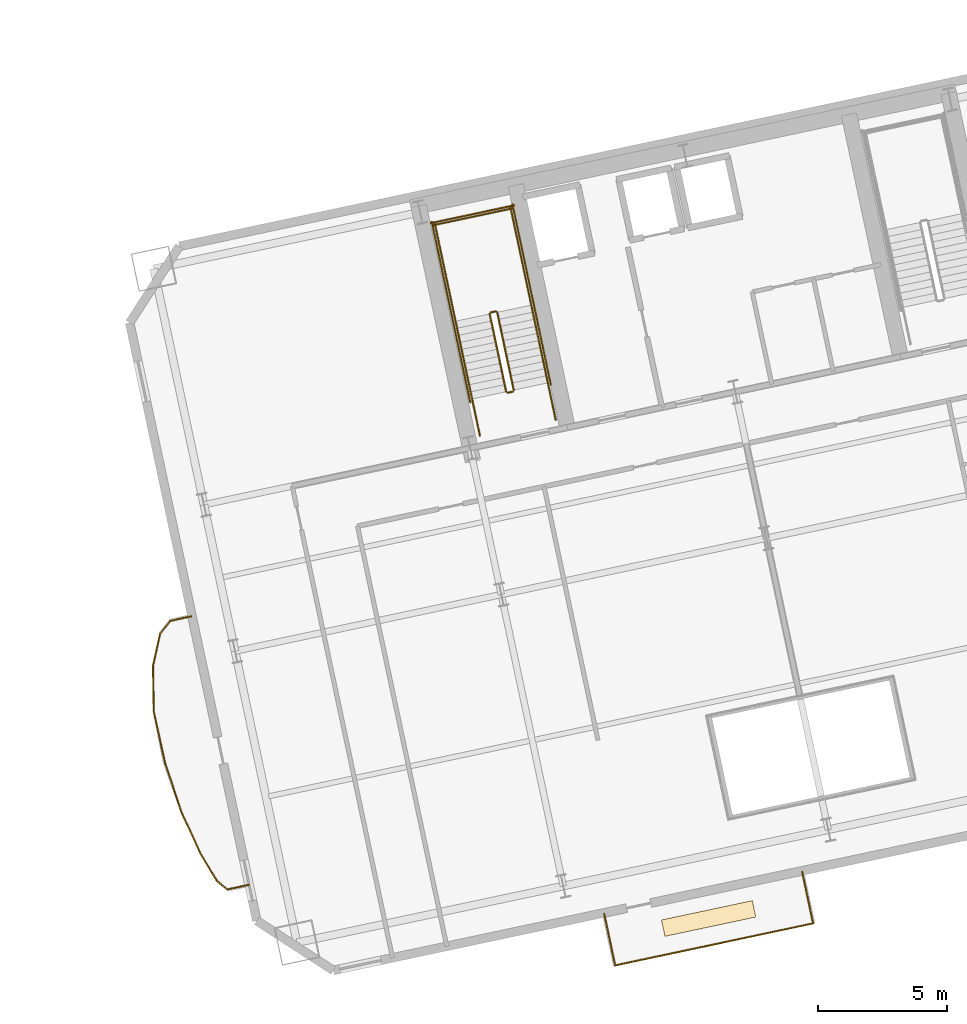
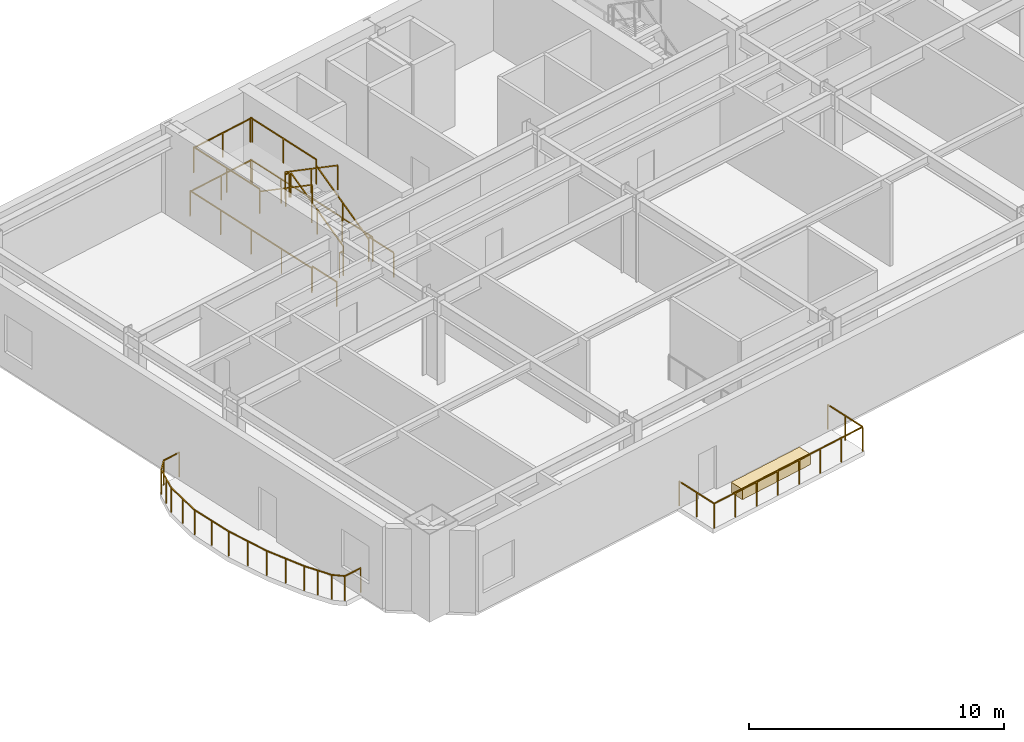
# One storey, part 14 of 15: 27 railings, 1 covering.
"""IFC4 building model written with IfcOpenShell, lengths in metres."""

from ifc_helpers import new_model, si_unit, direction, frame, origin, origin_2d, place, context, subcontext, project, spatial, rectangle, extrude, material, layer, layer_set, type_object, element, save


model = new_model("IFC4")

# Units and contexts
model_context = context("Model", 3, precision=1e-05, world=origin(), true_north=direction((0.0, 1.0)))
body_context = subcontext(model_context, "Body", "Model", "MODEL_VIEW")
ifc_project = project(units=[si_unit("LENGTHUNIT", "METRE"), si_unit("AREAUNIT", "SQUARE_METRE"), si_unit("VOLUMEUNIT", "CUBIC_METRE"), si_unit("PLANEANGLEUNIT", "RADIAN"), si_unit("MASSUNIT", "GRAM", prefix="KILO")], contexts=[model_context])

# Site, building, storey
site_placement = place(None, origin())
site = spatial("IfcSite", under=ifc_project, at=site_placement, CompositionType="ELEMENT")
building_placement = place(site_placement, origin())
building = spatial("IfcBuilding", under=site, at=building_placement, Name="Haevon Station Towers", CompositionType="ELEMENT")
storey_placement = place(building_placement, frame((0.0, 0.0, 73.5)))
storey = spatial("IfcBuildingStorey", under=building, at=storey_placement, Name="L19", CompositionType="ELEMENT", Elevation=73.5)

# Railings
ifc_material_1 = material(Name="Steel S355", Category="steel")
railing_type_1 = type_object("IfcRailingType", Name="GRD-EXT1200", PredefinedType="GUARDRAIL", material=ifc_material_1)
railing_1_placement = place(storey_placement, frame((87.947509765625, 30.92578125, 0.0)))
element("IfcRailing", 1, at=railing_1_placement, inside=storey, type_object=railing_type_1, Name="L19 Perimeter Guardrail 1", PredefinedType="GUARDRAIL", context=body_context, shape_type="SweptSolid", body=[
    extrude(rectangle(XDim=0.048095703125, YDim=0.048095703125, at=origin_2d()), frame((0.0, 0.0, 1.17578125), z_axis=(-0.977691431104, -0.210046341426, 0.0), x_axis=(0.210046341426, -0.977691431104, 0.0)), (0.0, 0.0, 1.0), 0.838134765625),
    extrude(rectangle(XDim=0.0419921875, YDim=0.0419921875, at=origin_2d()), origin(), (0.0, 0.0, 1.0), 1.15185546875),
    extrude(rectangle(XDim=0.0419921875, YDim=0.0419921875, at=origin_2d()), frame((-0.8193359375, -0.176025390625, 0.0)), (0.0, 0.0, 1.0), 1.15185546875),
])
railing_2_placement = place(storey_placement, frame((87.128173828125, 30.749755859375, 0.0)))
element("IfcRailing", 2, at=railing_2_placement, inside=storey, type_object=railing_type_1, Name="L19 Perimeter Guardrail 2", PredefinedType="GUARDRAIL", context=body_context, shape_type="SweptSolid", body=[
    extrude(rectangle(XDim=0.048095703125, YDim=0.048095703125, at=origin_2d()), frame((0.0, 0.0, 1.17578125), z_axis=(-0.615866023328, -0.787850900431, 0.0), x_axis=(0.787850900431, -0.615866023328, 0.0)), (0.0, 0.0, 1.0), 0.64013671875),
    extrude(rectangle(XDim=0.0419921875, YDim=0.0419921875, at=origin_2d()), origin(), (0.0, 0.0, 1.0), 1.15185546875),
    extrude(rectangle(XDim=0.0419921875, YDim=0.0419921875, at=origin_2d()), frame((-0.394287109375, -0.50439453125, 0.0)), (0.0, 0.0, 1.0), 1.15185546875),
])
railing_3_placement = place(storey_placement, frame((86.73388671875, 30.245361328125, 0.0)))
element("IfcRailing", 3, at=railing_3_placement, inside=storey, type_object=railing_type_1, Name="L19 Perimeter Guardrail 3", PredefinedType="GUARDRAIL", context=body_context, shape_type="SweptSolid", body=[
    extrude(rectangle(XDim=0.048095703125, YDim=0.048095703125, at=origin_2d()), frame((0.0, 0.0, 1.17578125), z_axis=(-0.216166111274, -0.97635660101, 0.0), x_axis=(0.97635660101, -0.216166111274, 0.0)), (0.0, 0.0, 1.0), 1.28515625),
    extrude(rectangle(XDim=0.0419921875, YDim=0.0419921875, at=origin_2d()), origin(), (0.0, 0.0, 1.0), 1.15185546875),
    extrude(rectangle(XDim=0.0419921875, YDim=0.0419921875, at=origin_2d()), frame((-0.138916015625, -0.62744140625, 0.0)), (0.0, 0.0, 1.0), 1.15185546875),
    extrude(rectangle(XDim=0.0419921875, YDim=0.0419921875, at=origin_2d()), frame((-0.27783203125, -1.2548828125, 0.0)), (0.0, 0.0, 1.0), 1.15185546875),
])
railing_4_placement = place(storey_placement, frame((86.4560546875, 28.990478515625, 0.0)))
element("IfcRailing", 4, at=railing_4_placement, inside=storey, type_object=railing_type_1, Name="L19 Perimeter Guardrail 4", PredefinedType="GUARDRAIL", context=body_context, shape_type="SweptSolid", body=[
    extrude(rectangle(XDim=0.048095703125, YDim=0.048095703125, at=origin_2d()), frame((0.0, 0.0, 1.17578125), z_axis=(0.018952639121, -0.999820382604, 0.0), x_axis=(0.999820382604, 0.018952639121, 0.0)), (0.0, 0.0, 1.0), 1.777587890625),
    extrude(rectangle(XDim=0.0419921875, YDim=0.0419921875, at=origin_2d()), origin(), (0.0, 0.0, 1.0), 1.15185546875),
    extrude(rectangle(XDim=0.0419921875, YDim=0.0419921875, at=origin_2d()), frame((0.016845703125, -0.888671875, 0.0)), (0.0, 0.0, 1.0), 1.15185546875),
    extrude(rectangle(XDim=0.0419921875, YDim=0.0419921875, at=origin_2d()), frame((0.03369140625, -1.77734375, 0.0)), (0.0, 0.0, 1.0), 1.15185546875),
])
railing_5_placement = place(storey_placement, frame((86.48974609375, 27.213134765625, 0.0)))
element("IfcRailing", 5, at=railing_5_placement, inside=storey, type_object=railing_type_1, Name="L19 Perimeter Guardrail 5", PredefinedType="GUARDRAIL", context=body_context, shape_type="SweptSolid", body=[
    extrude(rectangle(XDim=0.048095703125, YDim=0.048095703125, at=origin_2d()), frame((0.0, 0.0, 1.17578125), z_axis=(0.216230329155, -0.976342380906, 0.0), x_axis=(0.976342380906, 0.216230329155, 0.0)), (0.0, 0.0, 1.0), 1.993896484375),
    extrude(rectangle(XDim=0.0419921875, YDim=0.0419921875, at=origin_2d()), origin(), (0.0, 0.0, 1.0), 1.15185546875),
    extrude(rectangle(XDim=0.0419921875, YDim=0.0419921875, at=origin_2d()), frame((0.215576171875, -0.973388671875, 0.0)), (0.0, 0.0, 1.0), 1.15185546875),
    extrude(rectangle(XDim=0.0419921875, YDim=0.0419921875, at=origin_2d()), frame((0.43115234375, -1.94677734375, 0.0)), (0.0, 0.0, 1.0), 1.15185546875),
])
railing_6_placement = place(storey_placement, frame((86.9208984375, 25.266357421875, 0.0)))
element("IfcRailing", 6, at=railing_6_placement, inside=storey, type_object=railing_type_1, Name="L19 Perimeter Guardrail 6", PredefinedType="GUARDRAIL", context=body_context, shape_type="SweptSolid", body=[
    extrude(rectangle(XDim=0.048095703125, YDim=0.048095703125, at=origin_2d()), frame((0.0, 0.0, 1.17578125), z_axis=(0.313300498746, -0.949654040946, 0.0), x_axis=(0.949654040946, 0.313300498746, 0.0)), (0.0, 0.0, 1.0), 2.002685546875),
    extrude(rectangle(XDim=0.0419921875, YDim=0.0419921875, at=origin_2d()), origin(), (0.0, 0.0, 1.0), 1.15185546875),
    extrude(rectangle(XDim=0.0419921875, YDim=0.0419921875, at=origin_2d()), frame((0.313720703125, -0.950927734375, 0.0)), (0.0, 0.0, 1.0), 1.15185546875),
    extrude(rectangle(XDim=0.0419921875, YDim=0.0419921875, at=origin_2d()), frame((0.62744140625, -1.90185546875, 0.0)), (0.0, 0.0, 1.0), 1.15185546875),
])
railing_7_placement = place(storey_placement, frame((87.54833984375, 23.364501953125, 0.0)))
element("IfcRailing", 7, at=railing_7_placement, inside=storey, type_object=railing_type_1, Name="L19 Perimeter Guardrail 7", PredefinedType="GUARDRAIL", context=body_context, shape_type="SweptSolid", body=[
    extrude(rectangle(XDim=0.048095703125, YDim=0.048095703125, at=origin_2d()), frame((0.0, 0.0, 1.17578125), z_axis=(0.417424139603, -0.908711773709, 0.0), x_axis=(0.908711773709, 0.417424139603, 0.0)), (0.0, 0.0, 1.0), 1.79150390625),
    extrude(rectangle(XDim=0.0419921875, YDim=0.0419921875, at=origin_2d()), origin(), (0.0, 0.0, 1.0), 1.15185546875),
    extrude(rectangle(XDim=0.0419921875, YDim=0.0419921875, at=origin_2d()), frame((0.3740234375, -0.81396484375, 0.0)), (0.0, 0.0, 1.0), 1.15185546875),
    extrude(rectangle(XDim=0.0419921875, YDim=0.0419921875, at=origin_2d()), frame((0.747802734375, -1.6279296875, 0.0)), (0.0, 0.0, 1.0), 1.15185546875),
])
railing_8_placement = place(storey_placement, frame((88.296142578125, 21.736572265625, 0.0)))
element("IfcRailing", 8, at=railing_8_placement, inside=storey, type_object=railing_type_1, Name="L19 Perimeter Guardrail 8", PredefinedType="GUARDRAIL", context=body_context, shape_type="SweptSolid", body=[
    extrude(rectangle(XDim=0.048095703125, YDim=0.048095703125, at=origin_2d()), frame((0.0, 0.0, 1.17578125), z_axis=(0.513886177927, -0.857858377668, 0.0), x_axis=(0.857858377668, 0.513886177927, 0.0)), (0.0, 0.0, 1.0), 1.237060546875),
    extrude(rectangle(XDim=0.0419921875, YDim=0.0419921875, at=origin_2d()), origin(), (0.0, 0.0, 1.0), 1.15185546875),
    extrude(rectangle(XDim=0.0419921875, YDim=0.0419921875, at=origin_2d()), frame((0.31787109375, -0.53076171875, 0.0)), (0.0, 0.0, 1.0), 1.15185546875),
    extrude(rectangle(XDim=0.0419921875, YDim=0.0419921875, at=origin_2d()), frame((0.6357421875, -1.061279296875, 0.0)), (0.0, 0.0, 1.0), 1.15185546875),
])
railing_9_placement = place(storey_placement, frame((88.931884765625, 20.67529296875, 0.0)))
element("IfcRailing", 9, at=railing_9_placement, inside=storey, type_object=railing_type_1, Name="L19 Perimeter Guardrail 9", PredefinedType="GUARDRAIL", context=body_context, shape_type="SweptSolid", body=[
    extrude(rectangle(XDim=0.048095703125, YDim=0.048095703125, at=origin_2d()), frame((0.0, 0.0, 1.17578125), z_axis=(0.774554795465, -0.632506813262, 0.0), x_axis=(0.632506813262, 0.774554795465, 0.0)), (0.0, 0.0, 1.0), 0.527587890625),
    extrude(rectangle(XDim=0.0419921875, YDim=0.0419921875, at=origin_2d()), origin(), (0.0, 0.0, 1.0), 1.15185546875),
    extrude(rectangle(XDim=0.0419921875, YDim=0.0419921875, at=origin_2d()), frame((0.40869140625, -0.333740234375, 0.0)), (0.0, 0.0, 1.0), 1.15185546875),
])
railing_10_placement = place(storey_placement, frame((89.340576171875, 20.341552734375, 0.0)))
element("IfcRailing", 10, at=railing_10_placement, inside=storey, type_object=railing_type_1, Name="L19 Perimeter Guardrail 10", PredefinedType="GUARDRAIL", context=body_context, shape_type="SweptSolid", body=[
    extrude(rectangle(XDim=0.048095703125, YDim=0.048095703125, at=origin_2d()), frame((0.0, 0.0, 1.17578125), z_axis=(0.978617737227, 0.20568744343, 0.0), x_axis=(-0.20568744343, 0.978617737227, 0.0)), (0.0, 0.0, 1.0), 0.837890625),
    extrude(rectangle(XDim=0.0419921875, YDim=0.0419921875, at=origin_2d()), origin(), (0.0, 0.0, 1.0), 1.15185546875),
    extrude(rectangle(XDim=0.0419921875, YDim=0.0419921875, at=origin_2d()), frame((0.820068359375, 0.17236328125, 0.0)), (0.0, 0.0, 1.0), 1.15185546875),
])
railing_11_placement = place(storey_placement, frame((104.37109375, 17.392822265625, 0.0)))
element("IfcRailing", 11, at=railing_11_placement, inside=storey, type_object=railing_type_1, Name="L19 Perimeter Guardrail 1", PredefinedType="GUARDRAIL", context=body_context, shape_type="SweptSolid", body=[
    extrude(rectangle(XDim=0.048095703125, YDim=0.048095703125, at=origin_2d()), frame((0.0, 0.0, 1.17578125), z_axis=(0.978148093399, 0.207909372996, 0.0), x_axis=(-0.207909372996, 0.978148093399, 0.0)), (0.0, 0.0, 1.0), 7.84521484375),
    extrude(rectangle(XDim=0.0419921875, YDim=0.0419921875, at=origin_2d()), origin(), (0.0, 0.0, 1.0), 1.15185546875),
    extrude(rectangle(XDim=0.0419921875, YDim=0.0419921875, at=origin_2d()), frame((1.09619140625, 0.23291015625, 0.0)), (0.0, 0.0, 1.0), 1.15185546875),
    extrude(rectangle(XDim=0.0419921875, YDim=0.0419921875, at=origin_2d()), frame((2.192626953125, 0.466064453125, 0.0)), (0.0, 0.0, 1.0), 1.15185546875),
    extrude(rectangle(XDim=0.0419921875, YDim=0.0419921875, at=origin_2d()), frame((3.288818359375, 0.698974609375, 0.0)), (0.0, 0.0, 1.0), 1.15185546875),
    extrude(rectangle(XDim=0.0419921875, YDim=0.0419921875, at=origin_2d()), frame((4.385009765625, 0.93212890625, 0.0)), (0.0, 0.0, 1.0), 1.15185546875),
    extrude(rectangle(XDim=0.0419921875, YDim=0.0419921875, at=origin_2d()), frame((5.481201171875, 1.1650390625, 0.0)), (0.0, 0.0, 1.0), 1.15185546875),
    extrude(rectangle(XDim=0.0419921875, YDim=0.0419921875, at=origin_2d()), frame((6.57763671875, 1.398193359375, 0.0)), (0.0, 0.0, 1.0), 1.15185546875),
    extrude(rectangle(XDim=0.0419921875, YDim=0.0419921875, at=origin_2d()), frame((7.673828125, 1.631103515625, 0.0)), (0.0, 0.0, 1.0), 1.15185546875),
])
railing_12_placement = place(storey_placement, frame((112.044921875, 19.02392578125, 0.0)))
element("IfcRailing", 12, at=railing_12_placement, inside=storey, type_object=railing_type_1, Name="L19 Perimeter Guardrail 2", PredefinedType="GUARDRAIL", context=body_context, shape_type="SweptSolid", body=[
    extrude(rectangle(XDim=0.048095703125, YDim=0.048095703125, at=origin_2d()), frame((0.0, 0.0, 1.17578125), z_axis=(-0.207962507169, 0.978136798005, 0.0), x_axis=(-0.978136798005, -0.207962507169, 0.0)), (0.0, 0.0, 1.0), 2.054443359375),
    extrude(rectangle(XDim=0.0419921875, YDim=0.0419921875, at=origin_2d()), origin(), (0.0, 0.0, 1.0), 1.15185546875),
    extrude(rectangle(XDim=0.0419921875, YDim=0.0419921875, at=origin_2d()), frame((-0.213623046875, 1.0048828125, 0.0)), (0.0, 0.0, 1.0), 1.15185546875),
    extrude(rectangle(XDim=0.0419921875, YDim=0.0419921875, at=origin_2d()), frame((-0.42724609375, 2.009521484375, 0.0)), (0.0, 0.0, 1.0), 1.15185546875),
])
railing_13_placement = place(storey_placement, frame((103.94384765625, 19.40234375, 0.0)))
element("IfcRailing", 13, at=railing_13_placement, inside=storey, type_object=railing_type_1, Name="L19 Perimeter Guardrail 3", PredefinedType="GUARDRAIL", context=body_context, shape_type="SweptSolid", body=[
    extrude(rectangle(XDim=0.048095703125, YDim=0.048095703125, at=origin_2d()), frame((0.0, 0.0, 1.17578125), z_axis=(0.207962507169, -0.978136798005, 0.0), x_axis=(0.978136798005, 0.207962507169, 0.0)), (0.0, 0.0, 1.0), 2.054443359375),
    extrude(rectangle(XDim=0.0419921875, YDim=0.0419921875, at=origin_2d()), origin(), (0.0, 0.0, 1.0), 1.15185546875),
    extrude(rectangle(XDim=0.0419921875, YDim=0.0419921875, at=origin_2d()), frame((0.213623046875, -1.0048828125, 0.0)), (0.0, 0.0, 1.0), 1.15185546875),
    extrude(rectangle(XDim=0.0419921875, YDim=0.0419921875, at=origin_2d()), frame((0.42724609375, -2.009521484375, 0.0)), (0.0, 0.0, 1.0), 1.15185546875),
])
railing_type_2 = type_object("IfcRailingType", Name="GRD-STR1200", PredefinedType="GUARDRAIL", material=ifc_material_1)
railing_14_placement = place(storey_placement, frame((100.44140625, 39.69287109375, 0.175048828125)))
element("IfcRailing", 14, at=railing_14_placement, inside=storey, type_object=railing_type_2, Name="L19 ST3 Stair Guard 1", PredefinedType="GUARDRAIL", context=body_context, shape_type="SweptSolid", body=[
    extrude(rectangle(XDim=0.048095703125, YDim=0.048095703125, at=origin_2d()), frame((0.0, 0.0, 1.17578125), z_axis=(-0.176310905062, 0.829461139329, 0.53000819154), x_axis=(-0.978146762005, -0.207915636689, 0.0)), (0.0, 0.0, 1.0), 3.632080078125),
    extrude(rectangle(XDim=0.0419921875, YDim=0.0419921875, at=origin_2d()), origin(), (0.0, 0.0, 1.0), 1.15185546875),
    extrude(rectangle(XDim=0.0419921875, YDim=0.0419921875, at=origin_2d()), frame((-0.3203125, 1.50634765625, 0.96240234375)), (0.0, 0.0, 1.0), 1.15185546875),
    extrude(rectangle(XDim=0.0419921875, YDim=0.0419921875, at=origin_2d()), frame((-0.640380859375, 3.0126953125, 1.925048828125)), (0.0, 0.0, 1.0), 1.15185546875),
])
railing_15_placement = place(storey_placement, frame((99.74169921875, 42.743896484375, 2.10009765625)))
element("IfcRailing", 15, at=railing_15_placement, inside=storey, type_object=railing_type_2, Name="L19 ST3 Stair Guard 2", PredefinedType="GUARDRAIL", context=body_context, shape_type="SweptSolid", body=[
    extrude(rectangle(XDim=0.048095703125, YDim=0.048095703125, at=origin_2d()), frame((0.0, 0.0, 1.17578125), z_axis=(-0.978211583308, -0.207610448392, 0.0), x_axis=(0.207610448392, -0.978211583308, 0.0)), (0.0, 0.0, 1.0), 0.199951171875),
    extrude(rectangle(XDim=0.0419921875, YDim=0.0419921875, at=origin_2d()), origin(), (0.0, 0.0, 1.0), 1.15185546875),
    extrude(rectangle(XDim=0.0419921875, YDim=0.0419921875, at=origin_2d()), frame((-0.195556640625, -0.04150390625, 0.0)), (0.0, 0.0, 1.0), 1.15185546875),
])
railing_16_placement = place(storey_placement, frame((101.12158203125, 42.986083984375, 2.10009765625)))
element("IfcRailing", 16, at=railing_16_placement, inside=storey, type_object=railing_type_2, Name="L19 ST3 Stair Guard 3", PredefinedType="GUARDRAIL", context=body_context, shape_type="SweptSolid", body=[
    extrude(rectangle(XDim=0.048095703125, YDim=0.048095703125, at=origin_2d()), frame((0.0, 0.0, 1.17578125), z_axis=(-0.207930432828, 0.978143616809, 0.0), x_axis=(-0.978143616809, -0.207930432828, 0.0)), (0.0, 0.0, 1.0), 3.869873046875),
    extrude(rectangle(XDim=0.0419921875, YDim=0.0419921875, at=origin_2d()), origin(), (0.0, 0.0, 1.0), 1.15185546875),
    extrude(rectangle(XDim=0.0419921875, YDim=0.0419921875, at=origin_2d()), frame((-0.40234375, 1.892578125, 0.0)), (0.0, 0.0, 1.0), 1.15185546875),
    extrude(rectangle(XDim=0.0419921875, YDim=0.0419921875, at=origin_2d()), frame((-0.8046875, 3.785400390625, 0.0)), (0.0, 0.0, 1.0), 1.15185546875),
])
railing_17_placement = place(storey_placement, frame((98.18701171875, 42.3623046875, 2.10009765625)))
element("IfcRailing", 17, at=railing_17_placement, inside=storey, type_object=railing_type_2, Name="L19 ST3 Stair Guard 4", PredefinedType="GUARDRAIL", context=body_context, shape_type="SweptSolid", body=[
    extrude(rectangle(XDim=0.048095703125, YDim=0.048095703125, at=origin_2d()), frame((0.0, 0.0, 1.17578125), z_axis=(-0.207857246892, 0.978159171564, 0.0), x_axis=(-0.978159171564, -0.207857246892, 0.0)), (0.0, 0.0, 1.0), 3.8701171875),
    extrude(rectangle(XDim=0.0419921875, YDim=0.0419921875, at=origin_2d()), origin(), (0.0, 0.0, 1.0), 1.15185546875),
    extrude(rectangle(XDim=0.0419921875, YDim=0.0419921875, at=origin_2d()), frame((-0.40234375, 1.892822265625, 0.0)), (0.0, 0.0, 1.0), 1.15185546875),
    extrude(rectangle(XDim=0.0419921875, YDim=0.0419921875, at=origin_2d()), frame((-0.804443359375, 3.78564453125, 0.0)), (0.0, 0.0, 1.0), 1.15185546875),
])
railing_18_placement = place(storey_placement, frame((100.376220703125, 46.733154296875, 2.10009765625)))
element("IfcRailing", 18, at=railing_18_placement, inside=storey, type_object=railing_type_2, Name="L19 ST3 Stair Guard 5", PredefinedType="GUARDRAIL", context=body_context, shape_type="SweptSolid", body=[
    extrude(rectangle(XDim=0.048095703125, YDim=0.048095703125, at=origin_2d()), frame((0.0, 0.0, 1.17578125), z_axis=(-0.978146839882, -0.207915270313, 0.0), x_axis=(0.207915270313, -0.978146839882, 0.0)), (0.0, 0.0, 1.0), 3.099853515625),
    extrude(rectangle(XDim=0.0419921875, YDim=0.0419921875, at=origin_2d()), origin(), (0.0, 0.0, 1.0), 1.15185546875),
    extrude(rectangle(XDim=0.0419921875, YDim=0.0419921875, at=origin_2d()), frame((-1.51611328125, -0.322265625, 0.0)), (0.0, 0.0, 1.0), 1.15185546875),
    extrude(rectangle(XDim=0.0419921875, YDim=0.0419921875, at=origin_2d()), frame((-3.0322265625, -0.64453125, 0.0)), (0.0, 0.0, 1.0), 1.15185546875),
])
railing_19_placement = place(storey_placement, frame((99.507568359375, 42.64306640625, 2.27490234375)))
element("IfcRailing", 19, at=railing_19_placement, inside=storey, type_object=railing_type_2, Name="L19 ST3 Stair Guard 6", PredefinedType="GUARDRAIL", context=body_context, shape_type="SweptSolid", body=[
    extrude(rectangle(XDim=0.048095703125, YDim=0.048095703125, at=origin_2d()), frame((0.0, 0.0, 1.17578125), z_axis=(0.176310905062, -0.829461139329, 0.53000819154), x_axis=(0.978146762005, 0.207915636689, 0.0)), (0.0, 0.0, 1.0), 3.632080078125),
    extrude(rectangle(XDim=0.0419921875, YDim=0.0419921875, at=origin_2d()), origin(), (0.0, 0.0, 1.0), 1.15185546875),
    extrude(rectangle(XDim=0.0419921875, YDim=0.0419921875, at=origin_2d()), frame((0.3203125, -1.50634765625, 0.96240234375)), (0.0, 0.0, 1.0), 1.15185546875),
    extrude(rectangle(XDim=0.0419921875, YDim=0.0419921875, at=origin_2d()), frame((0.640380859375, -3.0126953125, 1.925048828125)), (0.0, 0.0, 1.0), 1.15185546875),
])
railing_20_placement = place(storey_placement, frame((100.40283203125, 39.633544921875, 0.0)))
element("IfcRailing", 20, at=railing_20_placement, inside=storey, type_object=railing_type_2, Name="L19 ST3 Stair Guard 7", PredefinedType="GUARDRAIL", context=body_context, shape_type="SweptSolid", body=[
    extrude(rectangle(XDim=0.048095703125, YDim=0.048095703125, at=origin_2d()), frame((0.0, 0.0, 1.17578125), z_axis=(-0.977962931203, -0.208778603291, 0.0), x_axis=(0.208778603291, -0.977962931203, 0.0)), (0.0, 0.0, 1.0), 0.199951171875),
    extrude(rectangle(XDim=0.0419921875, YDim=0.0419921875, at=origin_2d()), origin(), (0.0, 0.0, 1.0), 1.15185546875),
    extrude(rectangle(XDim=0.0419921875, YDim=0.0419921875, at=origin_2d()), frame((-0.195556640625, -0.041748046875, 0.0)), (0.0, 0.0, 1.0), 1.15185546875),
])
for number, where, name in (
    (21, (102.0634765625, 38.55517578125, 0.0), "L19 ST3 Stair Guard 8"),
    (22, (99.12890625, 37.931396484375, 0.0), "L19 ST3 Stair Guard 9"),
):
    element("IfcRailing", number, at=place(storey_placement, frame(where)), inside=storey, type_object=railing_type_2, Name=name, PredefinedType="GUARDRAIL", context=body_context, shape_type="SweptSolid", body=[
        extrude(rectangle(XDim=0.048095703125, YDim=0.048095703125, at=origin_2d()), frame((0.0, 0.0, 1.17578125), z_axis=(-0.207953405961, 0.978138732977, 0.0), x_axis=(-0.978138732977, -0.207953405961, 0.0)), (0.0, 0.0, 1.0), 1.449951171875),
        extrude(rectangle(XDim=0.0419921875, YDim=0.0419921875, at=origin_2d()), origin(), (0.0, 0.0, 1.0), 1.15185546875),
        extrude(rectangle(XDim=0.0419921875, YDim=0.0419921875, at=origin_2d()), frame((-0.301513671875, 1.418212890625, 0.0)), (0.0, 0.0, 1.0), 1.15185546875),
    ])
railing_21_placement = place(storey_placement, frame((101.88037109375, 39.896484375, 0.0)))
element("IfcRailing", 23, at=railing_21_placement, inside=storey, type_object=railing_type_2, Name="L19 ST3 Stair Guard 10", PredefinedType="GUARDRAIL", context=body_context, shape_type="SweptSolid", body=[
    extrude(rectangle(XDim=0.048095703125, YDim=0.048095703125, at=origin_2d()), frame((0.0, 0.0, 1.17578125), z_axis=(-0.207882442208, 0.978153817261, 0.0), x_axis=(-0.978153817261, -0.207882442208, 0.0)), (0.0, 0.0, 1.0), 7.14990234375),
    extrude(rectangle(XDim=0.0419921875, YDim=0.0419921875, at=origin_2d()), origin(), (0.0, 0.0, 1.0), 1.15185546875),
    extrude(rectangle(XDim=0.0419921875, YDim=0.0419921875, at=origin_2d()), frame((-0.37158203125, 1.74853515625, 0.0)), (0.0, 0.0, 1.0), 1.15185546875),
    extrude(rectangle(XDim=0.0419921875, YDim=0.0419921875, at=origin_2d()), frame((-0.7431640625, 3.496826171875, 0.0)), (0.0, 0.0, 1.0), 1.15185546875),
    extrude(rectangle(XDim=0.0419921875, YDim=0.0419921875, at=origin_2d()), frame((-1.11474609375, 5.2451171875, 0.0)), (0.0, 0.0, 1.0), 1.15185546875),
    extrude(rectangle(XDim=0.0419921875, YDim=0.0419921875, at=origin_2d()), frame((-1.486328125, 6.99365234375, 0.0)), (0.0, 0.0, 1.0), 1.15185546875),
])
railing_22_placement = place(storey_placement, frame((98.75048828125, 39.231201171875, 0.0)))
element("IfcRailing", 24, at=railing_22_placement, inside=storey, type_object=railing_type_2, Name="L19 ST3 Stair Guard 11", PredefinedType="GUARDRAIL", context=body_context, shape_type="SweptSolid", body=[
    extrude(rectangle(XDim=0.048095703125, YDim=0.048095703125, at=origin_2d()), frame((0.0, 0.0, 1.17578125), z_axis=(-0.207915112487, 0.978146873429, 0.0), x_axis=(-0.978146873429, -0.207915112487, 0.0)), (0.0, 0.0, 1.0), 7.14990234375),
    extrude(rectangle(XDim=0.0419921875, YDim=0.0419921875, at=origin_2d()), origin(), (0.0, 0.0, 1.0), 1.15185546875),
    extrude(rectangle(XDim=0.0419921875, YDim=0.0419921875, at=origin_2d()), frame((-0.37158203125, 1.74853515625, 0.0)), (0.0, 0.0, 1.0), 1.15185546875),
    extrude(rectangle(XDim=0.0419921875, YDim=0.0419921875, at=origin_2d()), frame((-0.7431640625, 3.496826171875, 0.0)), (0.0, 0.0, 1.0), 1.15185546875),
    extrude(rectangle(XDim=0.0419921875, YDim=0.0419921875, at=origin_2d()), frame((-1.114990234375, 5.2451171875, 0.0)), (0.0, 0.0, 1.0), 1.15185546875),
    extrude(rectangle(XDim=0.0419921875, YDim=0.0419921875, at=origin_2d()), frame((-1.486572265625, 6.99365234375, 0.0)), (0.0, 0.0, 1.0), 1.15185546875),
])
railing_23_placement = place(storey_placement, frame((100.453125, 46.8515625, 0.0)))
element("IfcRailing", 25, at=railing_23_placement, inside=storey, type_object=railing_type_2, Name="L19 ST3 Stair Guard 12", PredefinedType="GUARDRAIL", context=body_context, shape_type="SweptSolid", body=[
    extrude(rectangle(XDim=0.048095703125, YDim=0.048095703125, at=origin_2d()), frame((0.0, 0.0, 1.17578125), z_axis=(-0.978150764849, -0.207896804268, 0.0), x_axis=(0.207896804268, -0.978150764849, 0.0)), (0.0, 0.0, 1.0), 3.2998046875),
    extrude(rectangle(XDim=0.0419921875, YDim=0.0419921875, at=origin_2d()), origin(), (0.0, 0.0, 1.0), 1.15185546875),
    extrude(rectangle(XDim=0.0419921875, YDim=0.0419921875, at=origin_2d()), frame((-1.61376953125, -0.343017578125, 0.0)), (0.0, 0.0, 1.0), 1.15185546875),
    extrude(rectangle(XDim=0.0419921875, YDim=0.0419921875, at=origin_2d()), frame((-3.227783203125, -0.68603515625, 0.0)), (0.0, 0.0, 1.0), 1.15185546875),
])
railing_type_3 = type_object("IfcRailingType", Name="HND-STR900", PredefinedType="HANDRAIL", material=ifc_material_1)
railing_24_placement = place(storey_placement, frame((101.761962890625, 39.973388671875, 0.175048828125)))
element("IfcRailing", 26, at=railing_24_placement, inside=storey, type_object=railing_type_3, Name="L19 ST3 Stair Handrail 1", PredefinedType="HANDRAIL", context=body_context, shape_type="SweptSolid", body=[
    extrude(rectangle(XDim=0.048095703125, YDim=0.048095703125, at=origin_2d()), frame((0.0, 0.0, 0.8759765625), z_axis=(-0.176310905062, 0.829461139329, 0.53000819154), x_axis=(-0.978146762005, -0.207915636689, 0.0)), (0.0, 0.0, 1.0), 3.632080078125),
    extrude(rectangle(XDim=0.0419921875, YDim=0.0419921875, at=origin_2d()), origin(), (0.0, 0.0, 1.0), 0.851806640625),
    extrude(rectangle(XDim=0.0419921875, YDim=0.0419921875, at=origin_2d()), frame((-0.3203125, 1.50634765625, 0.96240234375)), (0.0, 0.0, 1.0), 0.851806640625),
    extrude(rectangle(XDim=0.0419921875, YDim=0.0419921875, at=origin_2d()), frame((-0.640380859375, 3.0126953125, 1.925048828125)), (0.0, 0.0, 1.0), 0.851806640625),
])
railing_25_placement = place(storey_placement, frame((98.18701171875, 42.3623046875, 2.27490234375)))
element("IfcRailing", 27, at=railing_25_placement, inside=storey, type_object=railing_type_3, Name="L19 ST3 Stair Handrail 2", PredefinedType="HANDRAIL", context=body_context, shape_type="SweptSolid", body=[
    extrude(rectangle(XDim=0.048095703125, YDim=0.048095703125, at=origin_2d()), frame((0.0, 0.0, 0.8759765625), z_axis=(0.176310905062, -0.829461139329, 0.53000819154), x_axis=(0.978146762005, 0.207915636689, 0.0)), (0.0, 0.0, 1.0), 3.632080078125),
    extrude(rectangle(XDim=0.0419921875, YDim=0.0419921875, at=origin_2d()), origin(), (0.0, 0.0, 1.0), 0.851806640625),
    extrude(rectangle(XDim=0.0419921875, YDim=0.0419921875, at=origin_2d()), frame((0.3203125, -1.50634765625, 0.96240234375)), (0.0, 0.0, 1.0), 0.851806640625),
    extrude(rectangle(XDim=0.0419921875, YDim=0.0419921875, at=origin_2d()), frame((0.640380859375, -3.0126953125, 1.925048828125)), (0.0, 0.0, 1.0), 0.851806640625),
])

# Covering
ifc_material_2 = material(Name="Architectural planter GRC", Category="concrete")
ifc_layer = layer(ifc_material_2, 0.550048828125)
ifc_layer_set = layer_set([ifc_layer], Name="Architectural planter GRC")
covering_type = type_object("IfcCoveringType", Name="PLN-GRC550", PredefinedType="MOLDING", material=ifc_layer_set)
covering_placement = place(storey_placement, frame((107.994384765625, 19.213134765625, 0.0), z_axis=(0.0, 0.0, 1.0), x_axis=(0.978147600734, 0.207911690818, 0.0)))
element("IfcCovering", 28, at=covering_placement, inside=storey, type_object=covering_type, Name="Tower 2 L19 Facade Trough PLANTER", PredefinedType="MOLDING", context=body_context, shape_type="SweptSolid", body=[
    extrude(rectangle(XDim=3.60009765625, YDim=0.64990234375, at=origin_2d()), origin(), (0.0, 0.0, 1.0), 0.5),
])

save(model, "model.ifc")
